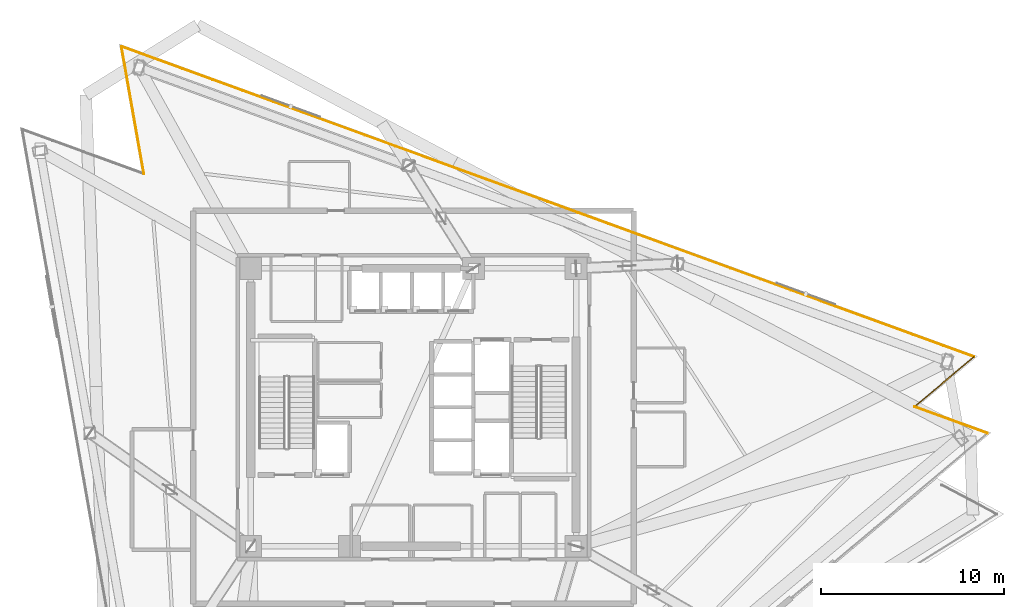
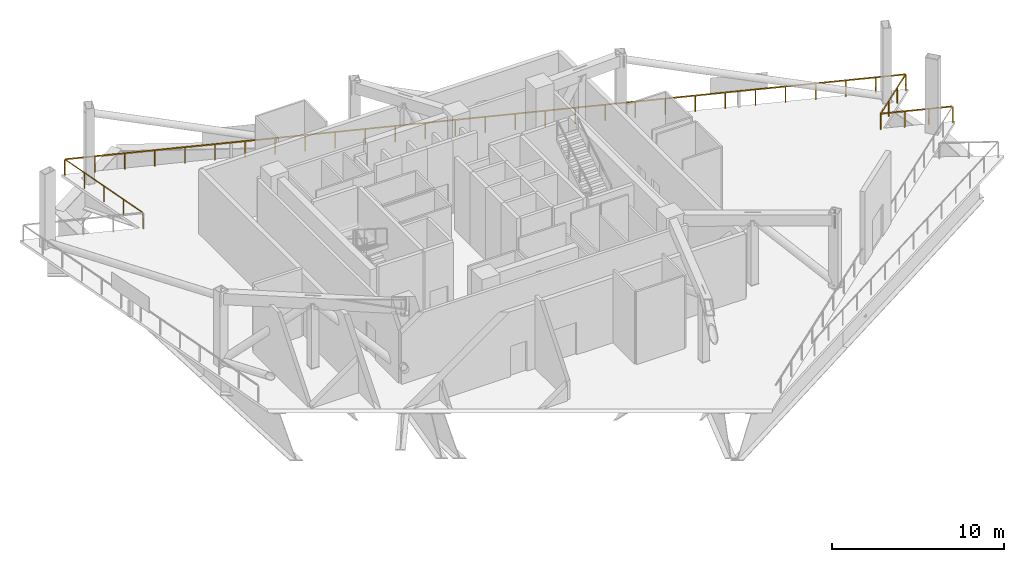
# One storey, part 15 of 15: 4 railings.
"""IFC4 building model written with IfcOpenShell, lengths in metres."""

from ifc_helpers import new_model, si_unit, direction, frame, origin, origin_2d, place, context, subcontext, project, spatial, rectangle, extrude, material, type_object, element, save


model = new_model("IFC4")

# Units and contexts
model_context = context("Model", 3, precision=1e-05, world=origin(), true_north=direction((0.0, 1.0)))
body_context = subcontext(model_context, "Body", "Model", "MODEL_VIEW")
ifc_project = project(units=[si_unit("LENGTHUNIT", "METRE"), si_unit("AREAUNIT", "SQUARE_METRE"), si_unit("VOLUMEUNIT", "CUBIC_METRE"), si_unit("PLANEANGLEUNIT", "RADIAN"), si_unit("MASSUNIT", "GRAM", prefix="KILO")], contexts=[model_context])

# Site, building, storey
site_placement = place(None, origin())
site = spatial("IfcSite", under=ifc_project, at=site_placement, CompositionType="ELEMENT")
building_placement = place(site_placement, origin())
building = spatial("IfcBuilding", under=site, at=building_placement, Name="Tharavind Bronze Gate", CompositionType="ELEMENT")
storey_placement = place(building_placement, frame((0.0, 0.0, 165.14990234375)))
storey = spatial("IfcBuildingStorey", under=building, at=storey_placement, Name="L42", CompositionType="ELEMENT", Elevation=165.14990234375)

# Railings
ifc_material = material(Name="Bronze Cap & Laminated Glass", Category="glass")
railing_type = type_object("IfcRailingType", Name="TERRACE GLASS GUARD RAILING 1150", PredefinedType="GUARDRAIL", material=ifc_material)
railing_1_placement = place(storey_placement, frame((-15.97314453125, 19.743408203125, 0.0)))
element("IfcRailing", 1, at=railing_1_placement, inside=storey, type_object=railing_type, Name="L42 open wind floor guard railing 1", PredefinedType="GUARDRAIL", context=body_context, shape_type="SweptSolid", body=[
    extrude(rectangle(XDim=0.048095703125, YDim=0.048095703125, at=origin_2d()), frame((0.005615234375, -0.031494140625, 1.1259765625), z_axis=(0.173651569749, -0.984807154891, 0.0), x_axis=(0.984807154891, 0.173651569749, 0.0)), (0.0, 0.0, 1.0), 7.01611328125),
    extrude(rectangle(XDim=0.0400390625, YDim=0.0400390625, at=origin_2d()), origin(), (0.0, 0.0, 1.0), 1.097900390625),
    extrude(rectangle(XDim=0.0400390625, YDim=0.0400390625, at=origin_2d()), frame((0.307373046875, -1.7431640625, 0.0)), (0.0, 0.0, 1.0), 1.097900390625),
    extrude(rectangle(XDim=0.0400390625, YDim=0.0400390625, at=origin_2d()), frame((0.61474609375, -3.486328125, 0.0)), (0.0, 0.0, 1.0), 1.097900390625),
    extrude(rectangle(XDim=0.0400390625, YDim=0.0400390625, at=origin_2d()), frame((0.922119140625, -5.2294921875, 0.0)), (0.0, 0.0, 1.0), 1.097900390625),
    extrude(rectangle(XDim=0.0400390625, YDim=0.0400390625, at=origin_2d()), frame((1.2294921875, -6.97265625, 0.0)), (0.0, 0.0, 1.0), 1.097900390625),
])
railing_2_placement = place(storey_placement, frame((31.410888671875, -1.418212890625, 0.0)))
element("IfcRailing", 2, at=railing_2_placement, inside=storey, type_object=railing_type, Name="L42 open wind floor guard railing 8", PredefinedType="GUARDRAIL", context=body_context, shape_type="SweptSolid", body=[
    extrude(rectangle(XDim=0.048095703125, YDim=0.048095703125, at=origin_2d()), frame((-0.030029296875, 0.010986328125, 1.1259765625), z_axis=(-0.939672547019, 0.342075290511, 0.0), x_axis=(-0.342075290511, -0.939672547019, 0.0)), (0.0, 0.0, 1.0), 4.18408203125),
    extrude(rectangle(XDim=0.0400390625, YDim=0.0400390625, at=origin_2d()), origin(), (0.0, 0.0, 1.0), 1.097900390625),
    extrude(rectangle(XDim=0.0400390625, YDim=0.0400390625, at=origin_2d()), frame((-1.33056640625, 0.484375, 0.0)), (0.0, 0.0, 1.0), 1.097900390625),
    extrude(rectangle(XDim=0.0400390625, YDim=0.0400390625, at=origin_2d()), frame((-2.6611328125, 0.96875, 0.0)), (0.0, 0.0, 1.0), 1.097900390625),
    extrude(rectangle(XDim=0.0400390625, YDim=0.0400390625, at=origin_2d()), frame((-3.99169921875, 1.453125, 0.0)), (0.0, 0.0, 1.0), 1.097900390625),
])
railing_3_placement = place(storey_placement, frame((27.419189453125, 0.034912109375, 0.0)))
element("IfcRailing", 3, at=railing_3_placement, inside=storey, type_object=railing_type, Name="L42 open wind floor guard railing 9", PredefinedType="GUARDRAIL", context=body_context, shape_type="SweptSolid", body=[
    extrude(rectangle(XDim=0.048095703125, YDim=0.048095703125, at=origin_2d()), frame((0.0244140625, 0.0205078125, 1.1259765625), z_axis=(0.766054602204, 0.642775502367, 0.0), x_axis=(-0.642775502367, 0.766054602204, 0.0)), (0.0, 0.0, 1.0), 4.183837890625),
    extrude(rectangle(XDim=0.0400390625, YDim=0.0400390625, at=origin_2d()), origin(), (0.0, 0.0, 1.0), 1.097900390625),
    extrude(rectangle(XDim=0.0400390625, YDim=0.0400390625, at=origin_2d()), frame((1.084716796875, 0.91015625, 0.0)), (0.0, 0.0, 1.0), 1.097900390625),
    extrude(rectangle(XDim=0.0400390625, YDim=0.0400390625, at=origin_2d()), frame((2.16943359375, 1.8203125, 0.0)), (0.0, 0.0, 1.0), 1.097900390625),
    extrude(rectangle(XDim=0.0400390625, YDim=0.0400390625, at=origin_2d()), frame((3.254150390625, 2.73046875, 0.0)), (0.0, 0.0, 1.0), 1.097900390625),
])
railing_4_placement = place(storey_placement, frame((30.67333984375, 2.765380859375, 0.0)))
element("IfcRailing", 4, at=railing_4_placement, inside=storey, type_object=railing_type, Name="L42 open wind floor guard railing 10", PredefinedType="GUARDRAIL", context=body_context, shape_type="SweptSolid", body=[
    extrude(rectangle(XDim=0.048095703125, YDim=0.048095703125, at=origin_2d()), frame((-0.030029296875, 0.010986328125, 1.1259765625), z_axis=(-0.939692002485, 0.342021842089, 0.0), x_axis=(-0.342021842089, -0.939692002485, 0.0)), (0.0, 0.0, 1.0), 49.576171875),
    extrude(rectangle(XDim=0.0400390625, YDim=0.0400390625, at=origin_2d()), origin(), (0.0, 0.0, 1.0), 1.097900390625),
    extrude(rectangle(XDim=0.0400390625, YDim=0.0400390625, at=origin_2d()), frame((-1.666015625, 0.6064453125, 0.0)), (0.0, 0.0, 1.0), 1.097900390625),
    extrude(rectangle(XDim=0.0400390625, YDim=0.0400390625, at=origin_2d()), frame((-3.331787109375, 1.212646484375, 0.0)), (0.0, 0.0, 1.0), 1.097900390625),
    extrude(rectangle(XDim=0.0400390625, YDim=0.0400390625, at=origin_2d()), frame((-4.997802734375, 1.819091796875, 0.0)), (0.0, 0.0, 1.0), 1.097900390625),
    extrude(rectangle(XDim=0.0400390625, YDim=0.0400390625, at=origin_2d()), frame((-6.663818359375, 2.425537109375, 0.0)), (0.0, 0.0, 1.0), 1.097900390625),
    extrude(rectangle(XDim=0.0400390625, YDim=0.0400390625, at=origin_2d()), frame((-8.329833984375, 3.03173828125, 0.0)), (0.0, 0.0, 1.0), 1.097900390625),
    extrude(rectangle(XDim=0.0400390625, YDim=0.0400390625, at=origin_2d()), frame((-9.99560546875, 3.63818359375, 0.0)), (0.0, 0.0, 1.0), 1.097900390625),
    extrude(rectangle(XDim=0.0400390625, YDim=0.0400390625, at=origin_2d()), frame((-11.66162109375, 4.24462890625, 0.0)), (0.0, 0.0, 1.0), 1.097900390625),
    extrude(rectangle(XDim=0.0400390625, YDim=0.0400390625, at=origin_2d()), frame((-13.32763671875, 4.850830078125, 0.0)), (0.0, 0.0, 1.0), 1.097900390625),
    extrude(rectangle(XDim=0.0400390625, YDim=0.0400390625, at=origin_2d()), frame((-14.993408203125, 5.457275390625, 0.0)), (0.0, 0.0, 1.0), 1.097900390625),
    extrude(rectangle(XDim=0.0400390625, YDim=0.0400390625, at=origin_2d()), frame((-16.659423828125, 6.0634765625, 0.0)), (0.0, 0.0, 1.0), 1.097900390625),
    extrude(rectangle(XDim=0.0400390625, YDim=0.0400390625, at=origin_2d()), frame((-18.325439453125, 6.669921875, 0.0)), (0.0, 0.0, 1.0), 1.097900390625),
    extrude(rectangle(XDim=0.0400390625, YDim=0.0400390625, at=origin_2d()), frame((-19.991455078125, 7.2763671875, 0.0)), (0.0, 0.0, 1.0), 1.097900390625),
    extrude(rectangle(XDim=0.0400390625, YDim=0.0400390625, at=origin_2d()), frame((-21.6572265625, 7.882568359375, 0.0)), (0.0, 0.0, 1.0), 1.097900390625),
    extrude(rectangle(XDim=0.0400390625, YDim=0.0400390625, at=origin_2d()), frame((-23.3232421875, 8.489013671875, 0.0)), (0.0, 0.0, 1.0), 1.097900390625),
    extrude(rectangle(XDim=0.0400390625, YDim=0.0400390625, at=origin_2d()), frame((-24.9892578125, 9.095458984375, 0.0)), (0.0, 0.0, 1.0), 1.097900390625),
    extrude(rectangle(XDim=0.0400390625, YDim=0.0400390625, at=origin_2d()), frame((-26.655029296875, 9.70166015625, 0.0)), (0.0, 0.0, 1.0), 1.097900390625),
    extrude(rectangle(XDim=0.0400390625, YDim=0.0400390625, at=origin_2d()), frame((-28.321044921875, 10.30810546875, 0.0)), (0.0, 0.0, 1.0), 1.097900390625),
    extrude(rectangle(XDim=0.0400390625, YDim=0.0400390625, at=origin_2d()), frame((-29.987060546875, 10.91455078125, 0.0)), (0.0, 0.0, 1.0), 1.097900390625),
    extrude(rectangle(XDim=0.0400390625, YDim=0.0400390625, at=origin_2d()), frame((-31.653076171875, 11.520751953125, 0.0)), (0.0, 0.0, 1.0), 1.097900390625),
    extrude(rectangle(XDim=0.0400390625, YDim=0.0400390625, at=origin_2d()), frame((-33.31884765625, 12.127197265625, 0.0)), (0.0, 0.0, 1.0), 1.097900390625),
    extrude(rectangle(XDim=0.0400390625, YDim=0.0400390625, at=origin_2d()), frame((-34.98486328125, 12.7333984375, 0.0)), (0.0, 0.0, 1.0), 1.097900390625),
    extrude(rectangle(XDim=0.0400390625, YDim=0.0400390625, at=origin_2d()), frame((-36.65087890625, 13.33984375, 0.0)), (0.0, 0.0, 1.0), 1.097900390625),
    extrude(rectangle(XDim=0.0400390625, YDim=0.0400390625, at=origin_2d()), frame((-38.316650390625, 13.9462890625, 0.0)), (0.0, 0.0, 1.0), 1.097900390625),
    extrude(rectangle(XDim=0.0400390625, YDim=0.0400390625, at=origin_2d()), frame((-39.982666015625, 14.552490234375, 0.0)), (0.0, 0.0, 1.0), 1.097900390625),
    extrude(rectangle(XDim=0.0400390625, YDim=0.0400390625, at=origin_2d()), frame((-41.648681640625, 15.158935546875, 0.0)), (0.0, 0.0, 1.0), 1.097900390625),
    extrude(rectangle(XDim=0.0400390625, YDim=0.0400390625, at=origin_2d()), frame((-43.314697265625, 15.765380859375, 0.0)), (0.0, 0.0, 1.0), 1.097900390625),
    extrude(rectangle(XDim=0.0400390625, YDim=0.0400390625, at=origin_2d()), frame((-44.98046875, 16.37158203125, 0.0)), (0.0, 0.0, 1.0), 1.097900390625),
    extrude(rectangle(XDim=0.0400390625, YDim=0.0400390625, at=origin_2d()), frame((-46.646484375, 16.97802734375, 0.0)), (0.0, 0.0, 1.0), 1.097900390625),
])

save(model, "model.ifc")
